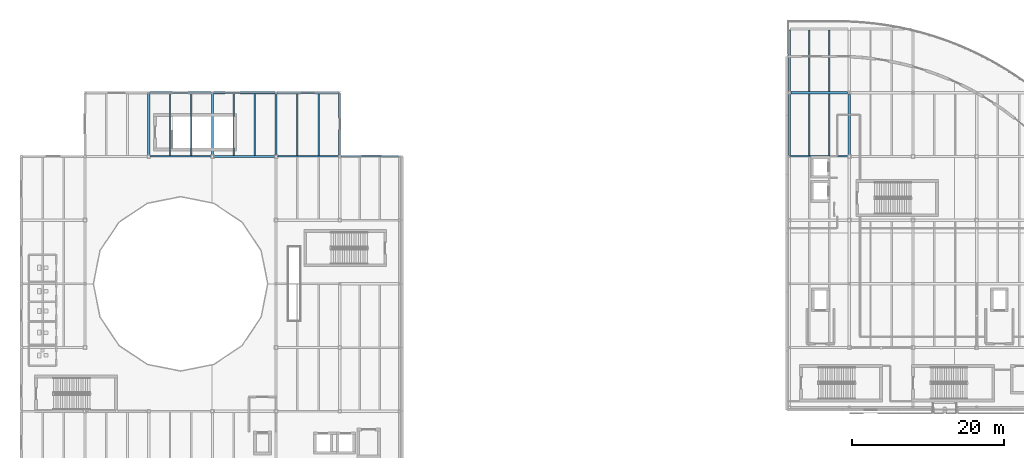
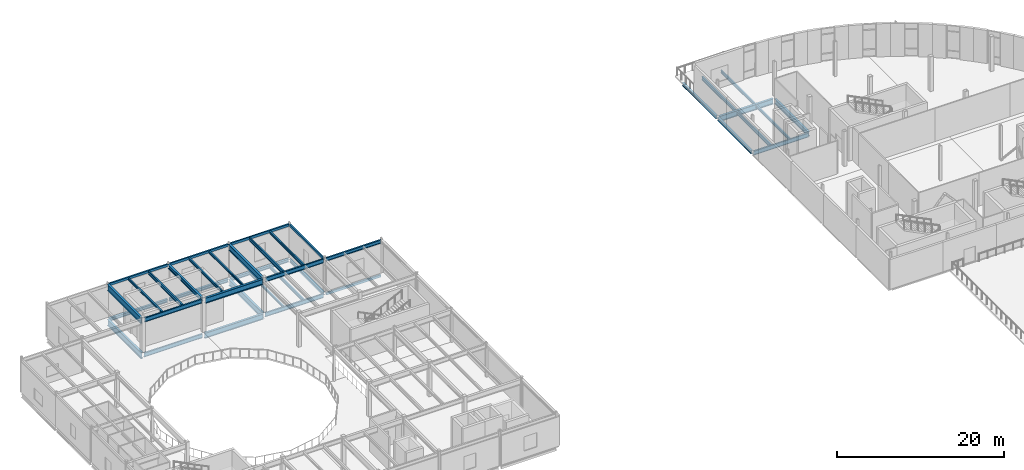
# One storey, part 17 of 57: 38 beams.
"""IFC4 building model written with IfcOpenShell, lengths in metres."""

from ifc_helpers import new_model, si_unit, direction, frame, origin, origin_2d, place, context, subcontext, project, spatial, hollow_rectangle, i_section, extrude, material, material_profile, profile_set, type_object, element, save


model = new_model("IFC4")

# Units and contexts
model_context = context("Model", 3, precision=1e-05, world=origin(), true_north=direction((0.0, 1.0)))
body_context = subcontext(model_context, "Body", "Model", "MODEL_VIEW")
ifc_project = project(units=[si_unit("LENGTHUNIT", "METRE"), si_unit("AREAUNIT", "SQUARE_METRE"), si_unit("VOLUMEUNIT", "CUBIC_METRE"), si_unit("PLANEANGLEUNIT", "RADIAN"), si_unit("MASSUNIT", "GRAM", prefix="KILO"), si_unit("THERMODYNAMICTEMPERATUREUNIT", "KELVIN")], contexts=[model_context])

# Site, building, storey
site_placement = place(None, origin())
site = spatial("IfcSite", under=ifc_project, at=site_placement, CompositionType="ELEMENT")
building_placement = place(site_placement, origin())
building = spatial("IfcBuilding", under=site, at=building_placement, Name="Lustrewick Department Store", CompositionType="ELEMENT")
storey_placement = place(building_placement, frame((0.0, 0.0, 26.699951171875)))
storey = spatial("IfcBuildingStorey", under=building, at=storey_placement, Name="L06", CompositionType="ELEMENT", Elevation=26.699951171875)

# Beams
ifc_material_1 = material(Name="Structural steel Q355B", Category="steel")
ifc_material_profile_1 = material_profile(ifc_material_1, i_section(OverallWidth=0.199951171875, OverallDepth=0.5, WebThickness=0.010009765625, FlangeThickness=0.01611328125, FilletRadius=0.01611328125, at=origin_2d()), Name="HN 500x200x10x16")
ifc_profile_set_1 = profile_set([ifc_material_profile_1], Name="Structural steel Q355B")
beam_type_1 = type_object("IfcBeamType", Name="B01", PredefinedType="JOIST", material=ifc_profile_set_1)
for number, where, z_axis, x_axis, name in (
    (1, (30.800048828125, 84.10009765625, 4.594970703125), (0.0, 1.0, 0.0), (-1.0, 0.0, 0.0), "L06 V1 Secondary Joist B01"),
    (2, (44.800048828125, 84.10009765625, 4.594970703125), (0.0, 1.0, 0.0), (-1.0, 0.0, 0.0), "L06 V1 Secondary Joist B01"),
):
    element("IfcBeam", number, at=place(storey_placement, frame(where, z_axis=z_axis, x_axis=x_axis)), inside=storey, type_object=beam_type_1, Name=name, PredefinedType="JOIST", context=body_context, shape_type="SweptSolid", body=[
        extrude(i_section(OverallWidth=0.199951171875, OverallDepth=0.5, WebThickness=0.010009765625, FlangeThickness=0.01611328125, FilletRadius=0.01611328125, at=origin_2d()), origin(), (0.0, 0.0, 1.0), 8.199951171875),
    ])
ifc_material_profile_2 = material_profile(ifc_material_1, i_section(OverallWidth=0.198974609375, OverallDepth=0.49609375, WebThickness=0.009033203125, FlangeThickness=0.013916015625, FilletRadius=0.01611328125, at=origin_2d()), Name="HN 496x199x9x14")
ifc_profile_set_2 = profile_set([ifc_material_profile_2], Name="Structural steel Q355B")
beam_type_2 = type_object("IfcBeamType", Name="B02", PredefinedType="JOIST", material=ifc_profile_set_2)
beam_1_placement = place(storey_placement, frame((112.333251953125, 84.1005859375, -0.5029296875), z_axis=(0.0, 1.0, 0.0), x_axis=(-1.0, 0.0, 0.0)))
element("IfcBeam", 3, at=beam_1_placement, inside=storey, type_object=beam_type_2, Name="L06 V4 Secondary Joist B02", PredefinedType="JOIST", context=body_context, shape_type="SweptSolid", body=[
    extrude(i_section(OverallWidth=0.198974609375, OverallDepth=0.49609375, WebThickness=0.009033203125, FlangeThickness=0.013916015625, FilletRadius=0.01611328125, at=origin_2d()), origin(), (0.0, 0.0, 1.0), 8.1484375),
])
beam_2_placement = place(storey_placement, frame((112.333251953125, 92.551025390625, -0.5029296875), z_axis=(0.0, 1.0, 0.0), x_axis=(-1.0, 0.0, 0.0)))
element("IfcBeam", 4, at=beam_2_placement, inside=storey, type_object=beam_type_2, Name="L06 V4 Secondary Joist B02", PredefinedType="JOIST", context=body_context, shape_type="SweptSolid", body=[
    extrude(i_section(OverallWidth=0.198974609375, OverallDepth=0.49609375, WebThickness=0.009033203125, FlangeThickness=0.013916015625, FilletRadius=0.01611328125, at=origin_2d()), origin(), (0.0, 0.0, 1.0), 8.098876953125),
])
ifc_material_profile_3 = material_profile(ifc_material_1, i_section(OverallWidth=0.198974609375, OverallDepth=0.446044921875, WebThickness=0.008056640625, FlangeThickness=0.011962890625, FilletRadius=0.01611328125, at=origin_2d()), Name="HN 446x199x8x12")
ifc_profile_set_3 = profile_set([ifc_material_profile_3], Name="Structural steel Q355B")
beam_type_3 = type_object("IfcBeamType", Name="B04", PredefinedType="JOIST", material=ifc_profile_set_3)
beam_3_placement = place(storey_placement, frame((47.60009765625, 84.1005859375, -0.47802734375), z_axis=(0.0, 1.0, 0.0), x_axis=(-1.0, 0.0, 0.0)))
element("IfcBeam", 5, at=beam_3_placement, inside=storey, type_object=beam_type_3, Name="L06 V1 Secondary Joist B04", PredefinedType="JOIST", context=body_context, shape_type="SweptSolid", body=[
    extrude(i_section(OverallWidth=0.198974609375, OverallDepth=0.446044921875, WebThickness=0.008056640625, FlangeThickness=0.011962890625, FilletRadius=0.01611328125, at=origin_2d()), origin(), (0.0, 0.0, 1.0), 8.1494140625),
])
ifc_material_profile_4 = material_profile(ifc_material_1, i_section(OverallWidth=0.199951171875, OverallDepth=0.39990234375, WebThickness=0.008056640625, FlangeThickness=0.012939453125, FilletRadius=0.013916015625, at=origin_2d()), Name="HN 400x200x8x13")
ifc_profile_set_4 = profile_set([ifc_material_profile_4], Name="Structural steel Q355B")
beam_type_4 = type_object("IfcBeamType", Name="B05", PredefinedType="JOIST", material=ifc_profile_set_4)
beam_4_placement = place(storey_placement, frame((36.39990234375, 84.14990234375, 4.64501953125), z_axis=(0.0, 1.0, 0.0), x_axis=(-1.0, 0.0, 0.0)))
element("IfcBeam", 6, at=beam_4_placement, inside=storey, type_object=beam_type_4, Name="L06 V1 Secondary Joist B05", PredefinedType="JOIST", context=body_context, shape_type="SweptSolid", body=[
    extrude(i_section(OverallWidth=0.199951171875, OverallDepth=0.39990234375, WebThickness=0.008056640625, FlangeThickness=0.012939453125, FilletRadius=0.013916015625, at=origin_2d()), origin(), (0.0, 0.0, 1.0), 8.150146484375),
])
beam_5_placement = place(storey_placement, frame((47.60009765625, 84.10009765625, 4.64501953125), z_axis=(0.0, 1.0, 0.0), x_axis=(-1.0, 0.0, 0.0)))
element("IfcBeam", 7, at=beam_5_placement, inside=storey, type_object=beam_type_4, Name="L06 V1 Secondary Joist B05", PredefinedType="JOIST", context=body_context, shape_type="SweptSolid", body=[
    extrude(i_section(OverallWidth=0.199951171875, OverallDepth=0.39990234375, WebThickness=0.008056640625, FlangeThickness=0.012939453125, FilletRadius=0.013916015625, at=origin_2d()), origin(), (0.0, 0.0, 1.0), 8.199951171875),
])
ifc_material_profile_5 = material_profile(ifc_material_1, i_section(OverallWidth=0.198974609375, OverallDepth=0.39599609375, WebThickness=0.007080078125, FlangeThickness=0.010986328125, FilletRadius=0.013916015625, at=origin_2d()), Name="HN 396x199x7x11")
ifc_profile_set_5 = profile_set([ifc_material_profile_5], Name="Structural steel Q355B")
beam_type_5 = type_object("IfcBeamType", Name="B06", PredefinedType="JOIST", material=ifc_profile_set_5)
beam_6_placement = place(storey_placement, frame((114.966796875, 84.1005859375, -0.452880859375), z_axis=(0.0, 1.0, 0.0), x_axis=(-1.0, 0.0, 0.0)))
element("IfcBeam", 8, at=beam_6_placement, inside=storey, type_object=beam_type_5, Name="L06 V4 Secondary Joist B06", PredefinedType="JOIST", context=body_context, shape_type="SweptSolid", body=[
    extrude(i_section(OverallWidth=0.198974609375, OverallDepth=0.39599609375, WebThickness=0.007080078125, FlangeThickness=0.010986328125, FilletRadius=0.013916015625, at=origin_2d()), origin(), (0.0, 0.0, 1.0), 8.1484375),
])
beam_7_placement = place(storey_placement, frame((114.966796875, 92.551025390625, -0.452880859375), z_axis=(0.0, 1.0, 0.0), x_axis=(-1.0, 0.0, 0.0)))
element("IfcBeam", 9, at=beam_7_placement, inside=storey, type_object=beam_type_5, Name="L06 V4 Secondary Joist B06", PredefinedType="JOIST", context=body_context, shape_type="SweptSolid", body=[
    extrude(i_section(OverallWidth=0.198974609375, OverallDepth=0.39599609375, WebThickness=0.007080078125, FlangeThickness=0.010986328125, FilletRadius=0.013916015625, at=origin_2d()), origin(), (0.0, 0.0, 1.0), 8.098876953125),
])
ifc_material_profile_6 = material_profile(ifc_material_1, i_section(OverallWidth=0.175048828125, OverallDepth=0.35009765625, WebThickness=0.007080078125, FlangeThickness=0.010986328125, FilletRadius=0.012939453125, at=origin_2d()), Name="HN 350x175x7x11")
ifc_profile_set_6 = profile_set([ifc_material_profile_6], Name="Structural steel Q355B")
beam_type_6 = type_object("IfcBeamType", Name="B09", PredefinedType="JOIST", material=ifc_profile_set_6)
beam_8_placement = place(storey_placement, frame((39.199951171875, 84.14990234375, 4.670166015625), z_axis=(0.0, 1.0, 0.0), x_axis=(-1.0, 0.0, 0.0)))
element("IfcBeam", 10, at=beam_8_placement, inside=storey, type_object=beam_type_6, Name="L06 V1 Secondary Joist B09", PredefinedType="JOIST", context=body_context, shape_type="SweptSolid", body=[
    extrude(i_section(OverallWidth=0.175048828125, OverallDepth=0.35009765625, WebThickness=0.007080078125, FlangeThickness=0.010986328125, FilletRadius=0.012939453125, at=origin_2d()), origin(), (0.0, 0.0, 1.0), 8.150146484375),
])
ifc_material_profile_7 = material_profile(ifc_material_1, i_section(OverallWidth=0.174072265625, OverallDepth=0.345947265625, WebThickness=0.006103515625, FlangeThickness=0.009033203125, FilletRadius=0.012939453125, at=origin_2d()), Name="HN 346x174x6x9")
ifc_profile_set_7 = profile_set([ifc_material_profile_7], Name="Structural steel Q355B")
beam_type_7 = type_object("IfcBeamType", Name="B10", PredefinedType="JOIST", material=ifc_profile_set_7)
beam_9_placement = place(storey_placement, frame((28.0, 84.10009765625, 4.672119140625), z_axis=(0.0, 1.0, 0.0), x_axis=(-1.0, 0.0, 0.0)))
element("IfcBeam", 11, at=beam_9_placement, inside=storey, type_object=beam_type_7, Name="L06 V1 Secondary Joist B10", PredefinedType="JOIST", context=body_context, shape_type="SweptSolid", body=[
    extrude(i_section(OverallWidth=0.174072265625, OverallDepth=0.345947265625, WebThickness=0.006103515625, FlangeThickness=0.009033203125, FilletRadius=0.012939453125, at=origin_2d()), origin(), (0.0, 0.0, 1.0), 8.199951171875),
])
ifc_material_profile_8 = material_profile(ifc_material_1, i_section(OverallWidth=0.199951171875, OverallDepth=0.2939453125, WebThickness=0.008056640625, FlangeThickness=0.011962890625, FilletRadius=0.013916015625, at=origin_2d()), Name="HM 294x200x8x12")
ifc_profile_set_8 = profile_set([ifc_material_profile_8], Name="Structural steel Q355B")
beam_type_8 = type_object("IfcBeamType", Name="B13", PredefinedType="JOIST", material=ifc_profile_set_8)
beam_10_placement = place(storey_placement, frame((44.800048828125, 84.1005859375, -0.40185546875), z_axis=(0.0, 1.0, 0.0), x_axis=(-1.0, 0.0, 0.0)))
element("IfcBeam", 12, at=beam_10_placement, inside=storey, type_object=beam_type_8, Name="L06 V1 Secondary Joist B13", PredefinedType="JOIST", context=body_context, shape_type="SweptSolid", body=[
    extrude(i_section(OverallWidth=0.199951171875, OverallDepth=0.2939453125, WebThickness=0.008056640625, FlangeThickness=0.011962890625, FilletRadius=0.013916015625, at=origin_2d()), origin(), (0.0, 0.0, 1.0), 8.1494140625),
])
ifc_material_2 = material(Name="Structural steel Q355C", Category="steel")
ifc_material_profile_9 = material_profile(ifc_material_2, i_section(OverallWidth=0.302001953125, OverallDepth=0.912109375, WebThickness=0.01806640625, FlangeThickness=0.033935546875, FilletRadius=0.02392578125, at=origin_2d()), Name="HN 912x302x18x34")
ifc_profile_set_9 = profile_set([ifc_material_profile_9], Name="Structural steel Q355C")
beam_type_9 = type_object("IfcBeamType", Name="G01", PredefinedType="BEAM", material=ifc_profile_set_9)
for number, where, z_axis, x_axis, name in (
    (13, (25.199951171875, 84.14990234375, -0.7109375), (0.0, 1.0, 0.0), (-1.0, 0.0, 0.0), "L06 V1 Girder G01"),
    (14, (42.0, 84.14990234375, -0.7109375), (0.0, 1.0, 0.0), (-1.0, 0.0, 0.0), "L06 V1 Girder G01"),
):
    element("IfcBeam", number, at=place(storey_placement, frame(where, z_axis=z_axis, x_axis=x_axis)), inside=storey, type_object=beam_type_9, Name=name, PredefinedType="BEAM", context=body_context, shape_type="SweptSolid", body=[
        extrude(i_section(OverallWidth=0.302001953125, OverallDepth=0.912109375, WebThickness=0.01806640625, FlangeThickness=0.033935546875, FilletRadius=0.02392578125, at=origin_2d()), origin(), (0.0, 0.0, 1.0), 8.125),
    ])
ifc_material_profile_10 = material_profile(ifc_material_2, i_section(OverallWidth=0.300048828125, OverallDepth=0.89990234375, WebThickness=0.01611328125, FlangeThickness=0.028076171875, FilletRadius=0.02392578125, at=origin_2d()), Name="HN 900x300x16x28")
ifc_profile_set_10 = profile_set([ifc_material_profile_10], Name="Structural steel Q355C")
beam_type_10 = type_object("IfcBeamType", Name="G02", PredefinedType="BEAM", material=ifc_profile_set_10)
for number, where, z_axis, x_axis, name in (
    (15, (25.199951171875, 84.22509765625, 4.39501953125), (0.0, 1.0, 0.0), (-1.0, 0.0, 0.0), "L06 V1 Girder G02"),
    (16, (42.0, 84.22509765625, 4.39501953125), (0.0, 1.0, 0.0), (-1.0, 0.0, 0.0), "L06 V1 Girder G02"),
):
    element("IfcBeam", number, at=place(storey_placement, frame(where, z_axis=z_axis, x_axis=x_axis)), inside=storey, type_object=beam_type_10, Name=name, PredefinedType="BEAM", context=body_context, shape_type="SweptSolid", body=[
        extrude(i_section(OverallWidth=0.300048828125, OverallDepth=0.89990234375, WebThickness=0.01611328125, FlangeThickness=0.028076171875, FilletRadius=0.02392578125, at=origin_2d()), origin(), (0.0, 0.0, 1.0), 8.0498046875),
    ])
ifc_material_profile_11 = material_profile(ifc_material_2, i_section(OverallWidth=0.302001953125, OverallDepth=0.80810546875, WebThickness=0.01611328125, FlangeThickness=0.030029296875, FilletRadius=0.02197265625, at=origin_2d()), Name="HN 808x302x16x30")
ifc_profile_set_11 = profile_set([ifc_material_profile_11], Name="Structural steel Q355C")
beam_type_11 = type_object("IfcBeamType", Name="G04", PredefinedType="BEAM", material=ifc_profile_set_11)
beam_11_placement = place(storey_placement, frame((109.8779296875, 92.39990234375, -0.658935546875), z_axis=(1.0, 0.0, 0.0), x_axis=(0.0, 1.0, 0.0)))
element("IfcBeam", 17, at=beam_11_placement, inside=storey, type_object=beam_type_11, Name="L06 V4 Girder G04", PredefinedType="BEAM", context=body_context, shape_type="SweptSolid", body=[
    extrude(i_section(OverallWidth=0.302001953125, OverallDepth=0.80810546875, WebThickness=0.01611328125, FlangeThickness=0.030029296875, FilletRadius=0.02197265625, at=origin_2d()), origin(), (0.0, 0.0, 1.0), 7.4970703125),
])
ifc_material_profile_12 = material_profile(ifc_material_1, i_section(OverallWidth=0.300048828125, OverallDepth=0.800048828125, WebThickness=0.013916015625, FlangeThickness=0.02587890625, FilletRadius=0.02197265625, at=origin_2d()), Name="HN 800x300x14x26")
ifc_profile_set_12 = profile_set([ifc_material_profile_12], Name="Structural steel Q355B")
beam_type_12 = type_object("IfcBeamType", Name="G05", PredefinedType="BEAM", material=ifc_profile_set_12)
beam_12_placement = place(storey_placement, frame((33.75, 84.0, -0.655029296875), z_axis=(1.0, 0.0, 0.0), x_axis=(0.0, 1.0, 0.0)))
element("IfcBeam", 18, at=beam_12_placement, inside=storey, type_object=beam_type_12, Name="L06 V1 Girder G05", PredefinedType="BEAM", context=body_context, shape_type="SweptSolid", body=[
    extrude(i_section(OverallWidth=0.300048828125, OverallDepth=0.800048828125, WebThickness=0.013916015625, FlangeThickness=0.02587890625, FilletRadius=0.02197265625, at=origin_2d()), origin(), (0.0, 0.0, 1.0), 8.10009765625),
])
ifc_material_profile_13 = material_profile(ifc_material_1, i_section(OverallWidth=0.300048828125, OverallDepth=0.7919921875, WebThickness=0.013916015625, FlangeThickness=0.02197265625, FilletRadius=0.02197265625, at=origin_2d()), Name="HN 792x300x14x22")
ifc_profile_set_13 = profile_set([ifc_material_profile_13], Name="Structural steel Q355B")
beam_type_13 = type_object("IfcBeamType", Name="G06", PredefinedType="BEAM", material=ifc_profile_set_13)
beam_13_placement = place(storey_placement, frame((33.824951171875, 84.0, 4.448974609375), z_axis=(1.0, 0.0, 0.0), x_axis=(0.0, 1.0, 0.0)))
element("IfcBeam", 19, at=beam_13_placement, inside=storey, type_object=beam_type_13, Name="L06 V1 Girder G06", PredefinedType="BEAM", context=body_context, shape_type="SweptSolid", body=[
    extrude(i_section(OverallWidth=0.300048828125, OverallDepth=0.7919921875, WebThickness=0.013916015625, FlangeThickness=0.02197265625, FilletRadius=0.02197265625, at=origin_2d()), origin(), (0.0, 0.0, 1.0), 7.949951171875),
])
ifc_material_profile_14 = material_profile(ifc_material_1, i_section(OverallWidth=0.300048828125, OverallDepth=0.69189453125, WebThickness=0.012939453125, FlangeThickness=0.02001953125, FilletRadius=0.02001953125, at=origin_2d()), Name="HN 692x300x13x20")
ifc_profile_set_14 = profile_set([ifc_material_profile_14], Name="Structural steel Q355B")
beam_type_14 = type_object("IfcBeamType", Name="G09", PredefinedType="BEAM", material=ifc_profile_set_14)
beam_14_placement = place(storey_placement, frame((117.60009765625, 84.14990234375, -0.600830078125), z_axis=(0.0, 1.0, 0.0), x_axis=(-1.0, 0.0, 0.0)))
element("IfcBeam", 20, at=beam_14_placement, inside=storey, type_object=beam_type_14, Name="L06 V4 Girder G09", PredefinedType="BEAM", context=body_context, shape_type="SweptSolid", body=[
    extrude(i_section(OverallWidth=0.300048828125, OverallDepth=0.69189453125, WebThickness=0.012939453125, FlangeThickness=0.02001953125, FilletRadius=0.02001953125, at=origin_2d()), origin(), (0.0, 0.0, 1.0), 8.025146484375),
])
ifc_material_profile_15 = material_profile(ifc_material_1, i_section(OverallWidth=0.300048828125, OverallDepth=0.587890625, WebThickness=0.011962890625, FlangeThickness=0.02001953125, FilletRadius=0.02392578125, at=origin_2d()), Name="HM 588x300x12x20")
ifc_profile_set_15 = profile_set([ifc_material_profile_15], Name="Structural steel Q355B")
beam_type_15 = type_object("IfcBeamType", Name="G11", PredefinedType="BEAM", material=ifc_profile_set_15)
beam_15_placement = place(storey_placement, frame((33.60009765625, 84.22509765625, 4.551025390625), z_axis=(0.0, 1.0, 0.0), x_axis=(-1.0, 0.0, 0.0)))
element("IfcBeam", 21, at=beam_15_placement, inside=storey, type_object=beam_type_15, Name="L06 V1 Girder G11", PredefinedType="BEAM", context=body_context, shape_type="SweptSolid", body=[
    extrude(i_section(OverallWidth=0.300048828125, OverallDepth=0.587890625, WebThickness=0.011962890625, FlangeThickness=0.02001953125, FilletRadius=0.02392578125, at=origin_2d()), origin(), (0.0, 0.0, 1.0), 8.0498046875),
])
ifc_material_profile_16 = material_profile(ifc_material_1, i_section(OverallWidth=0.200927734375, OverallDepth=0.60595703125, WebThickness=0.011962890625, FlangeThickness=0.02001953125, FilletRadius=0.01806640625, at=origin_2d()), Name="HN 606x201x12x20")
ifc_profile_set_16 = profile_set([ifc_material_profile_16], Name="Structural steel Q355B")
beam_type_16 = type_object("IfcBeamType", Name="G13", PredefinedType="BEAM", material=ifc_profile_set_16)
beam_16_placement = place(storey_placement, frame((25.35009765625, 84.0, -0.557861328125), z_axis=(1.0, 0.0, 0.0), x_axis=(0.0, 1.0, 0.0)))
element("IfcBeam", 22, at=beam_16_placement, inside=storey, type_object=beam_type_16, Name="L06 V1 Girder G13", PredefinedType="BEAM", context=body_context, shape_type="SweptSolid", body=[
    extrude(i_section(OverallWidth=0.200927734375, OverallDepth=0.60595703125, WebThickness=0.011962890625, FlangeThickness=0.02001953125, FilletRadius=0.01806640625, at=origin_2d()), origin(), (0.0, 0.0, 1.0), 8.099853515625),
])
beam_17_placement = place(storey_placement, frame((42.14990234375, 84.0, -0.557861328125), z_axis=(1.0, 0.0, 0.0), x_axis=(0.0, 1.0, 0.0)))
element("IfcBeam", 23, at=beam_17_placement, inside=storey, type_object=beam_type_16, Name="L06 V1 Girder G13", PredefinedType="BEAM", context=body_context, shape_type="SweptSolid", body=[
    extrude(i_section(OverallWidth=0.200927734375, OverallDepth=0.60595703125, WebThickness=0.011962890625, FlangeThickness=0.02001953125, FilletRadius=0.01806640625, at=origin_2d()), origin(), (0.0, 0.0, 1.0), 8.072021484375),
])
beam_18_placement = place(storey_placement, frame((109.824951171875, 84.0, -0.557861328125), z_axis=(1.0, 0.0, 0.0), x_axis=(0.0, 1.0, 0.0)))
element("IfcBeam", 24, at=beam_18_placement, inside=storey, type_object=beam_type_16, Name="L06 V4 Girder G13", PredefinedType="BEAM", context=body_context, shape_type="SweptSolid", body=[
    extrude(i_section(OverallWidth=0.200927734375, OverallDepth=0.60595703125, WebThickness=0.011962890625, FlangeThickness=0.02001953125, FilletRadius=0.01806640625, at=origin_2d()), origin(), (0.0, 0.0, 1.0), 7.625),
])
ifc_material_profile_17 = material_profile(ifc_material_1, i_section(OverallWidth=0.199951171875, OverallDepth=0.60009765625, WebThickness=0.010986328125, FlangeThickness=0.01708984375, FilletRadius=0.01806640625, at=origin_2d()), Name="HN 600x200x11x17")
ifc_profile_set_17 = profile_set([ifc_material_profile_17], Name="Structural steel Q355B")
beam_type_17 = type_object("IfcBeamType", Name="G14", PredefinedType="BEAM", material=ifc_profile_set_17)
beam_19_placement = place(storey_placement, frame((25.425048828125, 84.0, 4.545166015625), z_axis=(1.0, 0.0, 0.0), x_axis=(0.0, 1.0, 0.0)))
element("IfcBeam", 25, at=beam_19_placement, inside=storey, type_object=beam_type_17, Name="L06 V1 Girder G14", PredefinedType="BEAM", context=body_context, shape_type="SweptSolid", body=[
    extrude(i_section(OverallWidth=0.199951171875, OverallDepth=0.60009765625, WebThickness=0.010986328125, FlangeThickness=0.01708984375, FilletRadius=0.01806640625, at=origin_2d()), origin(), (0.0, 0.0, 1.0), 7.949951171875),
])
beam_20_placement = place(storey_placement, frame((42.22509765625, 84.0, 4.545166015625), z_axis=(1.0, 0.0, 0.0), x_axis=(0.0, 1.0, 0.0)))
element("IfcBeam", 26, at=beam_20_placement, inside=storey, type_object=beam_type_17, Name="L06 V1 Girder G14", PredefinedType="BEAM", context=body_context, shape_type="SweptSolid", body=[
    extrude(i_section(OverallWidth=0.199951171875, OverallDepth=0.60009765625, WebThickness=0.010986328125, FlangeThickness=0.01708984375, FilletRadius=0.01806640625, at=origin_2d()), origin(), (0.0, 0.0, 1.0), 7.996826171875),
])
ifc_material_profile_18 = material_profile(ifc_material_1, i_section(OverallWidth=0.200927734375, OverallDepth=0.506103515625, WebThickness=0.010986328125, FlangeThickness=0.01904296875, FilletRadius=0.01611328125, at=origin_2d()), Name="HN 506x201x11x19")
ifc_profile_set_18 = profile_set([ifc_material_profile_18], Name="Structural steel Q355B")
beam_type_18 = type_object("IfcBeamType", Name="SP01", PredefinedType="SPANDREL", material=ifc_profile_set_18)
beam_21_placement = place(storey_placement, frame((50.577880859375, 84.0, 4.592041015625), z_axis=(1.0, 0.0, 0.0), x_axis=(0.0, 1.0, 0.0)))
element("IfcBeam", 27, at=beam_21_placement, inside=storey, type_object=beam_type_18, Name="L06 V1 Girder SP01", PredefinedType="SPANDREL", context=body_context, shape_type="SweptSolid", body=[
    extrude(i_section(OverallWidth=0.200927734375, OverallDepth=0.506103515625, WebThickness=0.010986328125, FlangeThickness=0.01904296875, FilletRadius=0.01611328125, at=origin_2d()), origin(), (0.0, 0.0, 1.0), 7.59716796875),
])
ifc_material_profile_19 = material_profile(ifc_material_1, i_section(OverallWidth=0.300048828125, OverallDepth=0.43994140625, WebThickness=0.010986328125, FlangeThickness=0.01806640625, FilletRadius=0.02001953125, at=origin_2d()), Name="HM 440x300x11x18")
ifc_profile_set_19 = profile_set([ifc_material_profile_19], Name="Structural steel Q355B")
beam_type_19 = type_object("IfcBeamType", Name="SP02", PredefinedType="SPANDREL", material=ifc_profile_set_19)
beam_22_placement = place(storey_placement, frame((25.324951171875, 92.39990234375, -0.474853515625), z_axis=(1.0, 0.0, 0.0), x_axis=(0.0, 1.0, 0.0)))
element("IfcBeam", 28, at=beam_22_placement, inside=storey, type_object=beam_type_19, Name="L06 V1 Girder SP02", PredefinedType="SPANDREL", context=body_context, shape_type="SweptSolid", body=[
    extrude(i_section(OverallWidth=0.300048828125, OverallDepth=0.43994140625, WebThickness=0.010986328125, FlangeThickness=0.01806640625, FilletRadius=0.02001953125, at=origin_2d()), origin(), (0.0, 0.0, 1.0), 8.150146484375),
])
for number, where, z_axis, x_axis, name in (
    (29, (33.72509765625, 92.39990234375, -0.474853515625), (1.0, 0.0, 0.0), (0.0, 1.0, 0.0), "L06 V1 Girder SP02"),
    (30, (42.125, 92.39990234375, -0.474853515625), (1.0, 0.0, 0.0), (0.0, 1.0, 0.0), "L06 V1 Girder SP02"),
):
    element("IfcBeam", number, at=place(storey_placement, frame(where, z_axis=z_axis, x_axis=x_axis)), inside=storey, type_object=beam_type_19, Name=name, PredefinedType="SPANDREL", context=body_context, shape_type="SweptSolid", body=[
        extrude(i_section(OverallWidth=0.300048828125, OverallDepth=0.43994140625, WebThickness=0.010986328125, FlangeThickness=0.01806640625, FilletRadius=0.02001953125, at=origin_2d()), origin(), (0.0, 0.0, 1.0), 8.14990234375),
    ])
for number, where, z_axis, x_axis, name in (
    (31, (50.39990234375, 84.177978515625, -0.474853515625), (0.0, 1.0, 0.0), (-1.0, 0.0, 0.0), "L06 V1 Girder SP02"),
    (32, (109.699951171875, 84.125, -0.474853515625), (0.0, 1.0, 0.0), (-1.0, 0.0, 0.0), "L06 V4 Girder SP02"),
):
    element("IfcBeam", number, at=place(storey_placement, frame(where, z_axis=z_axis, x_axis=x_axis)), inside=storey, type_object=beam_type_19, Name=name, PredefinedType="SPANDREL", context=body_context, shape_type="SweptSolid", body=[
        extrude(i_section(OverallWidth=0.300048828125, OverallDepth=0.43994140625, WebThickness=0.010986328125, FlangeThickness=0.01806640625, FilletRadius=0.02001953125, at=origin_2d()), origin(), (0.0, 0.0, 1.0), 8.096923828125),
    ])
beam_23_placement = place(storey_placement, frame((109.699951171875, 92.577880859375, -0.474853515625), z_axis=(0.0, 1.0, 0.0), x_axis=(-1.0, 0.0, 0.0)))
element("IfcBeam", 33, at=beam_23_placement, inside=storey, type_object=beam_type_19, Name="L06 V4 Girder SP02", PredefinedType="SPANDREL", context=body_context, shape_type="SweptSolid", body=[
    extrude(i_section(OverallWidth=0.300048828125, OverallDepth=0.43994140625, WebThickness=0.010986328125, FlangeThickness=0.01806640625, FilletRadius=0.02001953125, at=origin_2d()), origin(), (0.0, 0.0, 1.0), 8.09716796875),
])
ifc_material_profile_20 = material_profile(ifc_material_2, hollow_rectangle(XDim=0.199951171875, YDim=0.35009765625, WallThickness=0.011962890625, at=origin_2d()), Name="RHS 350x200x12")
ifc_profile_set_20 = profile_set([ifc_material_profile_20], Name="Structural steel Q355C")
beam_type_20 = type_object("IfcBeamType", Name="SP03", PredefinedType="SPANDREL", material=ifc_profile_set_20)
beam_24_placement = place(storey_placement, frame((50.577880859375, 84.0, -0.429931640625), z_axis=(1.0, 0.0, 0.0), x_axis=(0.0, 1.0, 0.0)))
element("IfcBeam", 34, at=beam_24_placement, inside=storey, type_object=beam_type_20, Name="L06 V1 Girder SP03", PredefinedType="SPANDREL", context=body_context, shape_type="SweptSolid", body=[
    extrude(hollow_rectangle(XDim=0.199951171875, YDim=0.35009765625, WallThickness=0.011962890625, at=origin_2d()), origin(), (0.0, 0.0, 1.0), 7.59716796875),
])
beam_25_placement = place(storey_placement, frame((25.324951171875, 92.39990234375, 4.670166015625), z_axis=(1.0, 0.0, 0.0), x_axis=(0.0, 1.0, 0.0)))
element("IfcBeam", 35, at=beam_25_placement, inside=storey, type_object=beam_type_20, Name="L06 V1 Girder SP03", PredefinedType="SPANDREL", context=body_context, shape_type="SweptSolid", body=[
    extrude(hollow_rectangle(XDim=0.199951171875, YDim=0.35009765625, WallThickness=0.011962890625, at=origin_2d()), origin(), (0.0, 0.0, 1.0), 8.150146484375),
])
for number, where, z_axis, x_axis, name in (
    (36, (33.72509765625, 92.39990234375, 4.670166015625), (1.0, 0.0, 0.0), (0.0, 1.0, 0.0), "L06 V1 Girder SP03"),
    (37, (42.125, 92.39990234375, 4.670166015625), (1.0, 0.0, 0.0), (0.0, 1.0, 0.0), "L06 V1 Girder SP03"),
):
    element("IfcBeam", number, at=place(storey_placement, frame(where, z_axis=z_axis, x_axis=x_axis)), inside=storey, type_object=beam_type_20, Name=name, PredefinedType="SPANDREL", context=body_context, shape_type="SweptSolid", body=[
        extrude(hollow_rectangle(XDim=0.199951171875, YDim=0.35009765625, WallThickness=0.011962890625, at=origin_2d()), origin(), (0.0, 0.0, 1.0), 8.14990234375),
    ])
beam_26_placement = place(storey_placement, frame((50.39990234375, 84.177978515625, 4.670166015625), z_axis=(0.0, 1.0, 0.0), x_axis=(-1.0, 0.0, 0.0)))
element("IfcBeam", 38, at=beam_26_placement, inside=storey, type_object=beam_type_20, Name="L06 V1 Girder SP03", PredefinedType="SPANDREL", context=body_context, shape_type="SweptSolid", body=[
    extrude(hollow_rectangle(XDim=0.199951171875, YDim=0.35009765625, WallThickness=0.011962890625, at=origin_2d()), origin(), (0.0, 0.0, 1.0), 8.096923828125),
])

save(model, "model.ifc")
